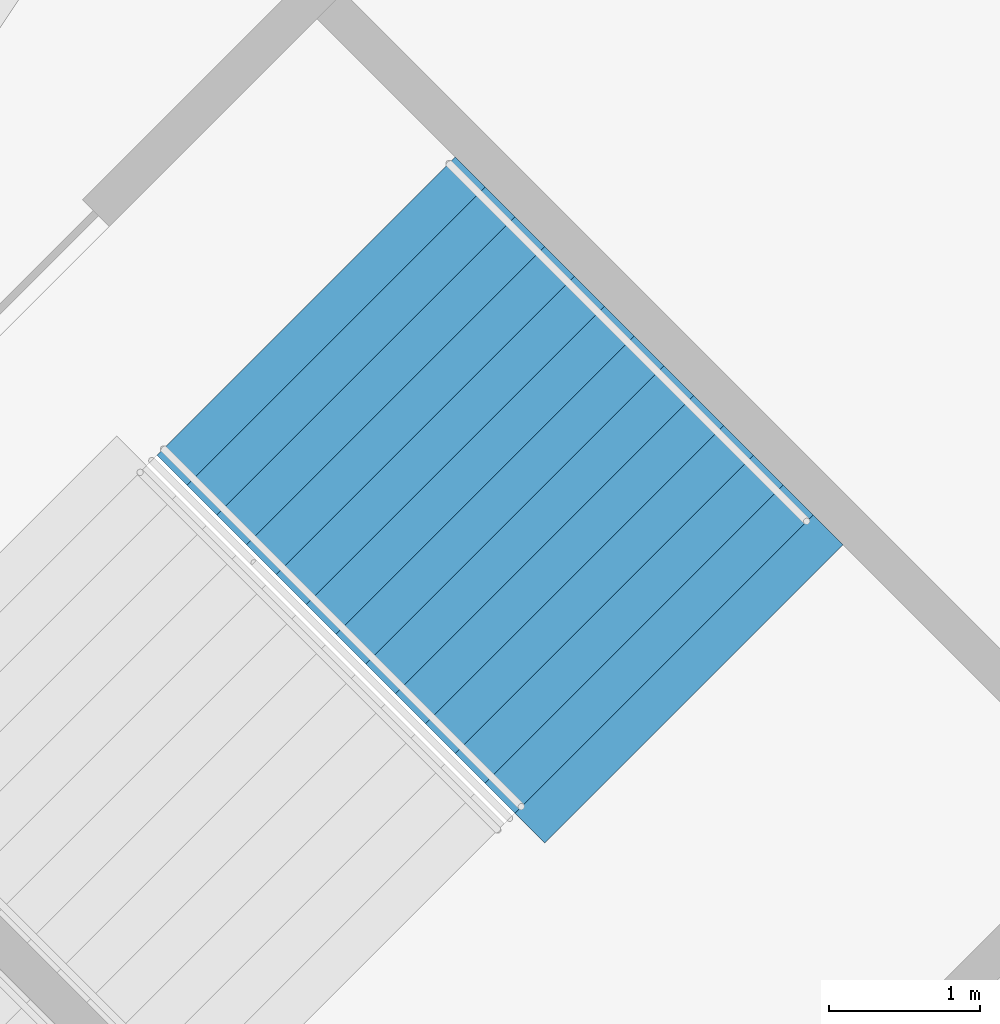
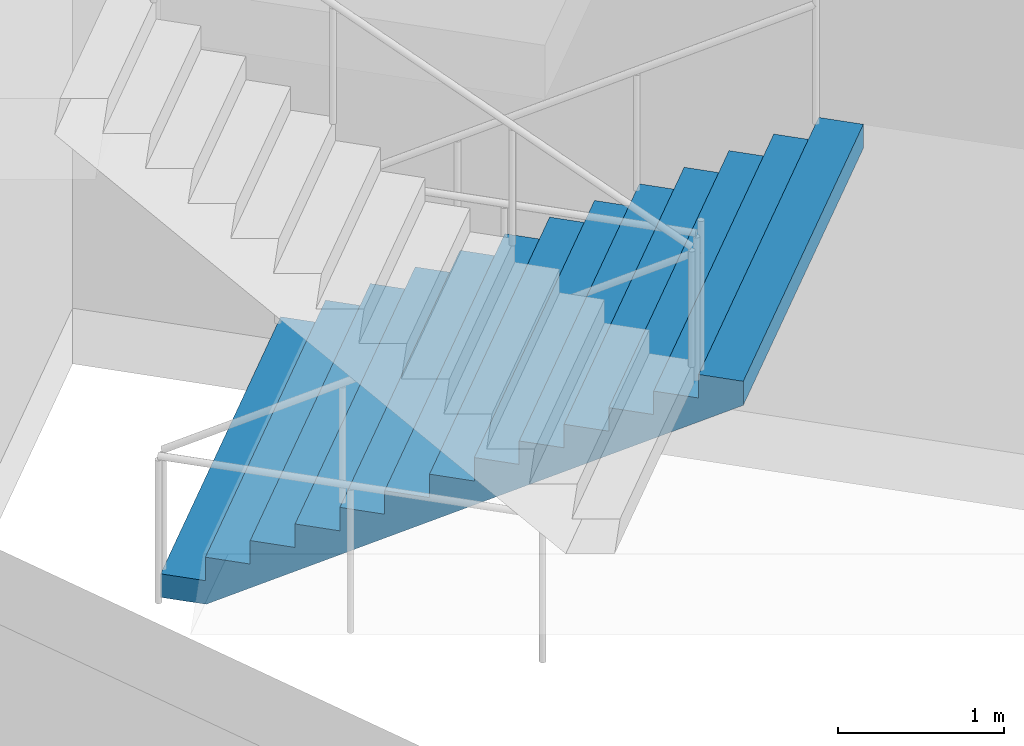
# One storey, part 137 of 199: 1 stair flight, 1 element without a shape of its own.
"""IFC4 building model written with IfcOpenShell, lengths in metres."""

from ifc_helpers import new_model, si_unit, direction, frame, origin, place, context, subcontext, project, spatial, faceted_brep, material, type_object, element, aggregate, save


model = new_model("IFC4")

# Units and contexts
model_context = context("Model", 3, precision=1e-05, world=origin(), true_north=direction((0.0, 1.0)))
body_context = subcontext(model_context, "Body", "Model", "MODEL_VIEW")
ifc_project = project(units=[si_unit("LENGTHUNIT", "METRE"), si_unit("AREAUNIT", "SQUARE_METRE"), si_unit("VOLUMEUNIT", "CUBIC_METRE"), si_unit("PLANEANGLEUNIT", "RADIAN"), si_unit("MASSUNIT", "GRAM", prefix="KILO")], contexts=[model_context])

# Site, building, storey
site_placement = place(None, origin())
site = spatial("IfcSite", under=ifc_project, at=site_placement, CompositionType="ELEMENT")
building_placement = place(site_placement, origin())
building = spatial("IfcBuilding", under=site, at=building_placement, Name="Ogive Plaza Stadium", CompositionType="ELEMENT")
storey_placement = place(building_placement, frame((0.0, 0.0, 9.0)))
storey = spatial("IfcBuildingStorey", under=building, at=storey_placement, Name="L02", CompositionType="ELEMENT", Elevation=9.0)

# Stair, stair flight
ifc_material_1 = material(Name="Concrete C40/50", Category="concrete")
stair_type = type_object("IfcStairType", Name="Exit stair", PredefinedType="STRAIGHT_RUN_STAIR", material=ifc_material_1)
stair_placement = place(storey_placement, origin())
stair = element("IfcStair", 1, at=stair_placement, inside=storey, type_object=stair_type, Name="Exit stair ST10B L02 to L03", PredefinedType="STRAIGHT_RUN_STAIR")
ifc_material_2 = material(Name="Concrete C40/50", Category="concrete")
stair_flight_type = type_object("IfcStairFlightType", Name="Exit stair flight", PredefinedType="STRAIGHT", material=ifc_material_2)
stair_flight_placement = place(storey_placement, frame((67.074951171875, -79.317138671875, 0.0), z_axis=(0.0, 0.0, 1.0), x_axis=(0.707106781187, -0.707106781187, 0.0)))
stair_flight = element("IfcStairFlight", 2, at=stair_flight_placement, type_object=stair_flight_type, Name="ST10B flight 1", NumberOfRisers=13, NumberOfTreads=12, PredefinedType="STRAIGHT", RiserHeight=0.173076923, TreadLength=0.28, context=body_context, shape_type="Brep", body=[
    faceted_brep([(0.28515625, -1.39990234375, 0.0), (3.639892578125, -1.39990234375, 2.07373046875), (3.639892578125, -1.39990234375, 2.25), (3.360107421875, -1.39990234375, 2.25), (3.360107421875, -1.39990234375, 2.076904296875), (3.080078125, -1.39990234375, 2.076904296875), (3.080078125, -1.39990234375, 1.90380859375), (2.800048828125, -1.39990234375, 1.90380859375), (2.800048828125, -1.39990234375, 1.730712890625), (2.52001953125, -1.39990234375, 1.730712890625), (2.52001953125, -1.39990234375, 1.5576171875), (2.239990234375, -1.39990234375, 1.5576171875), (2.239990234375, -1.39990234375, 1.384521484375), (1.9599609375, -1.39990234375, 1.384521484375), (1.9599609375, -1.39990234375, 1.21142578125), (1.679931640625, -1.39990234375, 1.21142578125), (1.679931640625, -1.39990234375, 1.03857421875), (1.39990234375, -1.39990234375, 1.03857421875), (1.39990234375, -1.39990234375, 0.865478515625), (1.1201171875, -1.39990234375, 0.865478515625), (1.1201171875, -1.39990234375, 0.6923828125), (0.840087890625, -1.39990234375, 0.6923828125), (0.840087890625, -1.39990234375, 0.519287109375), (0.56005859375, -1.39990234375, 0.519287109375), (0.56005859375, -1.39990234375, 0.34619140625), (0.280029296875, -1.39990234375, 0.34619140625), (0.280029296875, -1.39990234375, 0.173095703125), (0.0, -1.39990234375, 0.173095703125), (0.0, -1.39990234375, 0.0), (0.0, 1.39990234375, 0.0), (0.0, 1.39990234375, 0.173095703125), (0.280029296875, 1.39990234375, 0.173095703125), (0.280029296875, 1.39990234375, 0.34619140625), (0.56005859375, 1.39990234375, 0.34619140625), (0.56005859375, 1.39990234375, 0.519287109375), (0.840087890625, 1.39990234375, 0.519287109375), (0.840087890625, 1.39990234375, 0.6923828125), (1.1201171875, 1.39990234375, 0.6923828125), (1.1201171875, 1.39990234375, 0.865478515625), (1.39990234375, 1.39990234375, 0.865478515625), (1.39990234375, 1.39990234375, 1.03857421875), (1.679931640625, 1.39990234375, 1.03857421875), (1.679931640625, 1.39990234375, 1.21142578125), (1.9599609375, 1.39990234375, 1.21142578125), (1.9599609375, 1.39990234375, 1.384521484375), (2.239990234375, 1.39990234375, 1.384521484375), (2.239990234375, 1.39990234375, 1.5576171875), (2.52001953125, 1.39990234375, 1.5576171875), (2.52001953125, 1.39990234375, 1.730712890625), (2.800048828125, 1.39990234375, 1.730712890625), (2.800048828125, 1.39990234375, 1.90380859375), (3.080078125, 1.39990234375, 1.90380859375), (3.080078125, 1.39990234375, 2.076904296875), (3.360107421875, 1.39990234375, 2.076904296875), (3.360107421875, 1.39990234375, 2.25), (3.639892578125, 1.39990234375, 2.25), (3.639892578125, 1.39990234375, 2.07373046875), (0.28515625, 1.39990234375, 0.0), (0.28515625, -1.0888671875, 0.0), (3.639892578125, -1.0888671875, 2.07373046875), (0.28515625, -0.77783203125, 0.0), (3.639892578125, -0.77783203125, 2.07373046875), (0.28515625, -0.466796875, 0.0), (3.639892578125, -0.466796875, 2.07373046875), (0.28515625, -0.155517578125, 0.0), (3.639892578125, -0.155517578125, 2.07373046875), (0.28515625, 0.155517578125, 0.0), (3.639892578125, 0.155517578125, 2.07373046875), (0.28515625, 0.466796875, 0.0), (3.639892578125, 0.466796875, 2.07373046875), (0.28515625, 0.77783203125, 0.0), (3.639892578125, 0.77783203125, 2.07373046875), (0.28515625, 1.0888671875, 0.0), (3.639892578125, 1.0888671875, 2.07373046875), (3.639892578125, -1.0888671875, 2.25), (3.639892578125, -0.77783203125, 2.25), (3.639892578125, -0.466796875, 2.25), (3.639892578125, -0.155517578125, 2.25), (3.639892578125, 0.155517578125, 2.25), (3.639892578125, 0.466796875, 2.25), (3.639892578125, 0.77783203125, 2.25), (3.639892578125, 1.0888671875, 2.25), (3.360107421875, -1.0888671875, 2.25), (3.360107421875, -0.77783203125, 2.25), (3.360107421875, -0.466796875, 2.25), (3.360107421875, -0.155517578125, 2.25), (3.360107421875, 0.155517578125, 2.25), (3.360107421875, 0.466796875, 2.25), (3.360107421875, 0.77783203125, 2.25), (3.360107421875, 1.0888671875, 2.25), (3.360107421875, -1.0888671875, 2.076904296875), (3.360107421875, -0.77783203125, 2.076904296875), (3.360107421875, -0.466796875, 2.076904296875), (3.360107421875, -0.155517578125, 2.076904296875), (3.360107421875, 0.155517578125, 2.076904296875), (3.360107421875, 0.466796875, 2.076904296875), (3.360107421875, 0.77783203125, 2.076904296875), (3.360107421875, 1.0888671875, 2.076904296875), (3.080078125, -1.0888671875, 2.076904296875), (3.080078125, -0.77783203125, 2.076904296875), (3.080078125, -0.466796875, 2.076904296875), (3.080078125, -0.155517578125, 2.076904296875), (3.080078125, 0.155517578125, 2.076904296875), (3.080078125, 0.466796875, 2.076904296875), (3.080078125, 0.77783203125, 2.076904296875), (3.080078125, 1.0888671875, 2.076904296875), (3.080078125, -1.0888671875, 1.90380859375), (3.080078125, -0.77783203125, 1.90380859375), (3.080078125, -0.466796875, 1.90380859375), (3.080078125, -0.155517578125, 1.90380859375), (3.080078125, 0.155517578125, 1.90380859375), (3.080078125, 0.466796875, 1.90380859375), (3.080078125, 0.77783203125, 1.90380859375), (3.080078125, 1.0888671875, 1.90380859375), (2.800048828125, -1.0888671875, 1.90380859375), (2.800048828125, -0.77783203125, 1.90380859375), (2.800048828125, -0.466796875, 1.90380859375), (2.800048828125, -0.155517578125, 1.90380859375), (2.800048828125, 0.155517578125, 1.90380859375), (2.800048828125, 0.466796875, 1.90380859375), (2.800048828125, 0.77783203125, 1.90380859375), (2.800048828125, 1.0888671875, 1.90380859375), (2.800048828125, -1.0888671875, 1.730712890625), (2.800048828125, -0.77783203125, 1.730712890625), (2.800048828125, -0.466796875, 1.730712890625), (2.800048828125, -0.155517578125, 1.730712890625), (2.800048828125, 0.155517578125, 1.730712890625), (2.800048828125, 0.466796875, 1.730712890625), (2.800048828125, 0.77783203125, 1.730712890625), (2.800048828125, 1.0888671875, 1.730712890625), (2.52001953125, -1.0888671875, 1.730712890625), (2.52001953125, -0.77783203125, 1.730712890625), (2.52001953125, -0.466796875, 1.730712890625), (2.52001953125, -0.155517578125, 1.730712890625), (2.52001953125, 0.155517578125, 1.730712890625), (2.52001953125, 0.466796875, 1.730712890625), (2.52001953125, 0.77783203125, 1.730712890625), (2.52001953125, 1.0888671875, 1.730712890625), (2.52001953125, -1.0888671875, 1.5576171875), (2.52001953125, -0.77783203125, 1.5576171875), (2.52001953125, -0.466796875, 1.5576171875), (2.52001953125, -0.155517578125, 1.5576171875), (2.52001953125, 0.155517578125, 1.5576171875), (2.52001953125, 0.466796875, 1.5576171875), (2.52001953125, 0.77783203125, 1.5576171875), (2.52001953125, 1.0888671875, 1.5576171875), (2.239990234375, -1.0888671875, 1.5576171875), (2.239990234375, -0.77783203125, 1.5576171875), (2.239990234375, -0.466796875, 1.5576171875), (2.239990234375, -0.155517578125, 1.5576171875), (2.239990234375, 0.155517578125, 1.5576171875), (2.239990234375, 0.466796875, 1.5576171875), (2.239990234375, 0.77783203125, 1.5576171875), (2.239990234375, 1.0888671875, 1.5576171875), (2.239990234375, -1.0888671875, 1.384521484375), (2.239990234375, -0.77783203125, 1.384521484375), (2.239990234375, -0.466796875, 1.384521484375), (2.239990234375, -0.155517578125, 1.384521484375), (2.239990234375, 0.155517578125, 1.384521484375), (2.239990234375, 0.466796875, 1.384521484375), (2.239990234375, 0.77783203125, 1.384521484375), (2.239990234375, 1.0888671875, 1.384521484375), (1.9599609375, -1.0888671875, 1.384521484375), (1.9599609375, -0.77783203125, 1.384521484375), (1.9599609375, -0.466796875, 1.384521484375), (1.9599609375, -0.155517578125, 1.384521484375), (1.9599609375, 0.155517578125, 1.384521484375), (1.9599609375, 0.466796875, 1.384521484375), (1.9599609375, 0.77783203125, 1.384521484375), (1.9599609375, 1.0888671875, 1.384521484375), (1.9599609375, -1.0888671875, 1.21142578125), (1.9599609375, -0.77783203125, 1.21142578125), (1.9599609375, -0.466796875, 1.21142578125), (1.9599609375, -0.155517578125, 1.21142578125), (1.9599609375, 0.155517578125, 1.21142578125), (1.9599609375, 0.466796875, 1.21142578125), (1.9599609375, 0.77783203125, 1.21142578125), (1.9599609375, 1.0888671875, 1.21142578125), (1.679931640625, -1.0888671875, 1.21142578125), (1.679931640625, -0.77783203125, 1.21142578125), (1.679931640625, -0.466796875, 1.21142578125), (1.679931640625, -0.155517578125, 1.21142578125), (1.679931640625, 0.155517578125, 1.21142578125), (1.679931640625, 0.466796875, 1.21142578125), (1.679931640625, 0.77783203125, 1.21142578125), (1.679931640625, 1.0888671875, 1.21142578125), (1.679931640625, -1.0888671875, 1.03857421875), (1.679931640625, -0.77783203125, 1.03857421875), (1.679931640625, -0.466796875, 1.03857421875), (1.679931640625, -0.155517578125, 1.03857421875), (1.679931640625, 0.155517578125, 1.03857421875), (1.679931640625, 0.466796875, 1.03857421875), (1.679931640625, 0.77783203125, 1.03857421875), (1.679931640625, 1.0888671875, 1.03857421875), (1.39990234375, -1.0888671875, 1.03857421875), (1.39990234375, -0.77783203125, 1.03857421875), (1.39990234375, -0.466796875, 1.03857421875), (1.39990234375, -0.155517578125, 1.03857421875), (1.39990234375, 0.155517578125, 1.03857421875), (1.39990234375, 0.466796875, 1.03857421875), (1.39990234375, 0.77783203125, 1.03857421875), (1.39990234375, 1.0888671875, 1.03857421875), (1.39990234375, -1.0888671875, 0.865478515625), (1.39990234375, -0.77783203125, 0.865478515625), (1.39990234375, -0.466796875, 0.865478515625), (1.39990234375, -0.155517578125, 0.865478515625), (1.39990234375, 0.155517578125, 0.865478515625), (1.39990234375, 0.466796875, 0.865478515625), (1.39990234375, 0.77783203125, 0.865478515625), (1.39990234375, 1.0888671875, 0.865478515625), (1.1201171875, -1.0888671875, 0.865478515625), (1.1201171875, -0.77783203125, 0.865478515625), (1.1201171875, -0.466796875, 0.865478515625), (1.1201171875, -0.155517578125, 0.865478515625), (1.1201171875, 0.155517578125, 0.865478515625), (1.1201171875, 0.466796875, 0.865478515625), (1.1201171875, 0.77783203125, 0.865478515625), (1.1201171875, 1.0888671875, 0.865478515625), (1.1201171875, -1.0888671875, 0.6923828125), (1.1201171875, -0.77783203125, 0.6923828125), (1.1201171875, -0.466796875, 0.6923828125), (1.1201171875, -0.155517578125, 0.6923828125), (1.1201171875, 0.155517578125, 0.6923828125), (1.1201171875, 0.466796875, 0.6923828125), (1.1201171875, 0.77783203125, 0.6923828125), (1.1201171875, 1.0888671875, 0.6923828125), (0.840087890625, -1.0888671875, 0.6923828125), (0.840087890625, -0.77783203125, 0.6923828125), (0.840087890625, -0.466796875, 0.6923828125), (0.840087890625, -0.155517578125, 0.6923828125), (0.840087890625, 0.155517578125, 0.6923828125), (0.840087890625, 0.466796875, 0.6923828125), (0.840087890625, 0.77783203125, 0.6923828125), (0.840087890625, 1.0888671875, 0.6923828125), (0.840087890625, -1.0888671875, 0.519287109375), (0.840087890625, -0.77783203125, 0.519287109375), (0.840087890625, -0.466796875, 0.519287109375), (0.840087890625, -0.155517578125, 0.519287109375), (0.840087890625, 0.155517578125, 0.519287109375), (0.840087890625, 0.466796875, 0.519287109375), (0.840087890625, 0.77783203125, 0.519287109375), (0.840087890625, 1.0888671875, 0.519287109375), (0.56005859375, -1.0888671875, 0.519287109375), (0.56005859375, -0.77783203125, 0.519287109375), (0.56005859375, -0.466796875, 0.519287109375), (0.56005859375, -0.155517578125, 0.519287109375), (0.56005859375, 0.155517578125, 0.519287109375), (0.56005859375, 0.466796875, 0.519287109375), (0.56005859375, 0.77783203125, 0.519287109375), (0.56005859375, 1.0888671875, 0.519287109375), (0.56005859375, -1.0888671875, 0.34619140625), (0.56005859375, -0.77783203125, 0.34619140625), (0.56005859375, -0.466796875, 0.34619140625), (0.56005859375, -0.155517578125, 0.34619140625), (0.56005859375, 0.155517578125, 0.34619140625), (0.56005859375, 0.466796875, 0.34619140625), (0.56005859375, 0.77783203125, 0.34619140625), (0.56005859375, 1.0888671875, 0.34619140625), (0.280029296875, -1.0888671875, 0.34619140625), (0.280029296875, -0.77783203125, 0.34619140625), (0.280029296875, -0.466796875, 0.34619140625), (0.280029296875, -0.155517578125, 0.34619140625), (0.280029296875, 0.155517578125, 0.34619140625), (0.280029296875, 0.466796875, 0.34619140625), (0.280029296875, 0.77783203125, 0.34619140625), (0.280029296875, 1.0888671875, 0.34619140625), (0.280029296875, -1.0888671875, 0.173095703125), (0.280029296875, -0.77783203125, 0.173095703125), (0.280029296875, -0.466796875, 0.173095703125), (0.280029296875, -0.155517578125, 0.173095703125), (0.280029296875, 0.155517578125, 0.173095703125), (0.280029296875, 0.466796875, 0.173095703125), (0.280029296875, 0.77783203125, 0.173095703125), (0.280029296875, 1.0888671875, 0.173095703125), (0.0, -1.0888671875, 0.173095703125), (0.0, -0.77783203125, 0.173095703125), (0.0, -0.466796875, 0.173095703125), (0.0, -0.155517578125, 0.173095703125), (0.0, 0.155517578125, 0.173095703125), (0.0, 0.466796875, 0.173095703125), (0.0, 0.77783203125, 0.173095703125), (0.0, 1.0888671875, 0.173095703125), (0.0, -1.0888671875, 0.0), (0.0, -0.77783203125, 0.0), (0.0, -0.466796875, 0.0), (0.0, -0.155517578125, 0.0), (0.0, 0.155517578125, 0.0), (0.0, 0.466796875, 0.0), (0.0, 0.77783203125, 0.0), (0.0, 1.0888671875, 0.0)], [[[0, 1, 2, 3, 4, 5, 6, 7, 8, 9, 10, 11, 12, 13, 14, 15, 16, 17, 18, 19, 20, 21, 22, 23, 24, 25, 26, 27, 28]], [[29, 30, 31, 32, 33, 34, 35, 36, 37, 38, 39, 40, 41, 42, 43, 44, 45, 46, 47, 48, 49, 50, 51, 52, 53, 54, 55, 56, 57]], [[0, 58, 59, 1]], [[58, 60, 61, 59]], [[60, 62, 63, 61]], [[62, 64, 65, 63]], [[64, 66, 67, 65]], [[66, 68, 69, 67]], [[68, 70, 71, 69]], [[70, 72, 73, 71]], [[72, 57, 56, 73]], [[1, 59, 74, 2]], [[59, 61, 75, 74]], [[61, 63, 76, 75]], [[63, 65, 77, 76]], [[65, 67, 78, 77]], [[67, 69, 79, 78]], [[69, 71, 80, 79]], [[71, 73, 81, 80]], [[73, 56, 55, 81]], [[2, 74, 82, 3]], [[74, 75, 83, 82]], [[75, 76, 84, 83]], [[76, 77, 85, 84]], [[77, 78, 86, 85]], [[78, 79, 87, 86]], [[79, 80, 88, 87]], [[80, 81, 89, 88]], [[81, 55, 54, 89]], [[3, 82, 90, 4]], [[82, 83, 91, 90]], [[83, 84, 92, 91]], [[84, 85, 93, 92]], [[85, 86, 94, 93]], [[86, 87, 95, 94]], [[87, 88, 96, 95]], [[88, 89, 97, 96]], [[89, 54, 53, 97]], [[4, 90, 98, 5]], [[90, 91, 99, 98]], [[91, 92, 100, 99]], [[92, 93, 101, 100]], [[93, 94, 102, 101]], [[94, 95, 103, 102]], [[95, 96, 104, 103]], [[96, 97, 105, 104]], [[97, 53, 52, 105]], [[5, 98, 106, 6]], [[98, 99, 107, 106]], [[99, 100, 108, 107]], [[100, 101, 109, 108]], [[101, 102, 110, 109]], [[102, 103, 111, 110]], [[103, 104, 112, 111]], [[104, 105, 113, 112]], [[105, 52, 51, 113]], [[6, 106, 114, 7]], [[106, 107, 115, 114]], [[107, 108, 116, 115]], [[108, 109, 117, 116]], [[109, 110, 118, 117]], [[110, 111, 119, 118]], [[111, 112, 120, 119]], [[112, 113, 121, 120]], [[113, 51, 50, 121]], [[7, 114, 122, 8]], [[114, 115, 123, 122]], [[115, 116, 124, 123]], [[116, 117, 125, 124]], [[117, 118, 126, 125]], [[118, 119, 127, 126]], [[119, 120, 128, 127]], [[120, 121, 129, 128]], [[121, 50, 49, 129]], [[8, 122, 130, 9]], [[122, 123, 131, 130]], [[123, 124, 132, 131]], [[124, 125, 133, 132]], [[125, 126, 134, 133]], [[126, 127, 135, 134]], [[127, 128, 136, 135]], [[128, 129, 137, 136]], [[129, 49, 48, 137]], [[9, 130, 138, 10]], [[130, 131, 139, 138]], [[131, 132, 140, 139]], [[132, 133, 141, 140]], [[133, 134, 142, 141]], [[134, 135, 143, 142]], [[135, 136, 144, 143]], [[136, 137, 145, 144]], [[137, 48, 47, 145]], [[10, 138, 146, 11]], [[138, 139, 147, 146]], [[139, 140, 148, 147]], [[140, 141, 149, 148]], [[141, 142, 150, 149]], [[142, 143, 151, 150]], [[143, 144, 152, 151]], [[144, 145, 153, 152]], [[145, 47, 46, 153]], [[11, 146, 154, 12]], [[146, 147, 155, 154]], [[147, 148, 156, 155]], [[148, 149, 157, 156]], [[149, 150, 158, 157]], [[150, 151, 159, 158]], [[151, 152, 160, 159]], [[152, 153, 161, 160]], [[153, 46, 45, 161]], [[12, 154, 162, 13]], [[154, 155, 163, 162]], [[155, 156, 164, 163]], [[156, 157, 165, 164]], [[157, 158, 166, 165]], [[158, 159, 167, 166]], [[159, 160, 168, 167]], [[160, 161, 169, 168]], [[161, 45, 44, 169]], [[13, 162, 170, 14]], [[162, 163, 171, 170]], [[163, 164, 172, 171]], [[164, 165, 173, 172]], [[165, 166, 174, 173]], [[166, 167, 175, 174]], [[167, 168, 176, 175]], [[168, 169, 177, 176]], [[169, 44, 43, 177]], [[14, 170, 178, 15]], [[170, 171, 179, 178]], [[171, 172, 180, 179]], [[172, 173, 181, 180]], [[173, 174, 182, 181]], [[174, 175, 183, 182]], [[175, 176, 184, 183]], [[176, 177, 185, 184]], [[177, 43, 42, 185]], [[15, 178, 186, 16]], [[178, 179, 187, 186]], [[179, 180, 188, 187]], [[180, 181, 189, 188]], [[181, 182, 190, 189]], [[182, 183, 191, 190]], [[183, 184, 192, 191]], [[184, 185, 193, 192]], [[185, 42, 41, 193]], [[16, 186, 194, 17]], [[186, 187, 195, 194]], [[187, 188, 196, 195]], [[188, 189, 197, 196]], [[189, 190, 198, 197]], [[190, 191, 199, 198]], [[191, 192, 200, 199]], [[192, 193, 201, 200]], [[193, 41, 40, 201]], [[17, 194, 202, 18]], [[194, 195, 203, 202]], [[195, 196, 204, 203]], [[196, 197, 205, 204]], [[197, 198, 206, 205]], [[198, 199, 207, 206]], [[199, 200, 208, 207]], [[200, 201, 209, 208]], [[201, 40, 39, 209]], [[18, 202, 210, 19]], [[202, 203, 211, 210]], [[203, 204, 212, 211]], [[204, 205, 213, 212]], [[205, 206, 214, 213]], [[206, 207, 215, 214]], [[207, 208, 216, 215]], [[208, 209, 217, 216]], [[209, 39, 38, 217]], [[19, 210, 218, 20]], [[210, 211, 219, 218]], [[211, 212, 220, 219]], [[212, 213, 221, 220]], [[213, 214, 222, 221]], [[214, 215, 223, 222]], [[215, 216, 224, 223]], [[216, 217, 225, 224]], [[217, 38, 37, 225]], [[20, 218, 226, 21]], [[218, 219, 227, 226]], [[219, 220, 228, 227]], [[220, 221, 229, 228]], [[221, 222, 230, 229]], [[222, 223, 231, 230]], [[223, 224, 232, 231]], [[224, 225, 233, 232]], [[225, 37, 36, 233]], [[21, 226, 234, 22]], [[226, 227, 235, 234]], [[227, 228, 236, 235]], [[228, 229, 237, 236]], [[229, 230, 238, 237]], [[230, 231, 239, 238]], [[231, 232, 240, 239]], [[232, 233, 241, 240]], [[233, 36, 35, 241]], [[22, 234, 242, 23]], [[234, 235, 243, 242]], [[235, 236, 244, 243]], [[236, 237, 245, 244]], [[237, 238, 246, 245]], [[238, 239, 247, 246]], [[239, 240, 248, 247]], [[240, 241, 249, 248]], [[241, 35, 34, 249]], [[23, 242, 250, 24]], [[242, 243, 251, 250]], [[243, 244, 252, 251]], [[244, 245, 253, 252]], [[245, 246, 254, 253]], [[246, 247, 255, 254]], [[247, 248, 256, 255]], [[248, 249, 257, 256]], [[249, 34, 33, 257]], [[24, 250, 258, 25]], [[250, 251, 259, 258]], [[251, 252, 260, 259]], [[252, 253, 261, 260]], [[253, 254, 262, 261]], [[254, 255, 263, 262]], [[255, 256, 264, 263]], [[256, 257, 265, 264]], [[257, 33, 32, 265]], [[25, 258, 266, 26]], [[258, 259, 267, 266]], [[259, 260, 268, 267]], [[260, 261, 269, 268]], [[261, 262, 270, 269]], [[262, 263, 271, 270]], [[263, 264, 272, 271]], [[264, 265, 273, 272]], [[265, 32, 31, 273]], [[26, 266, 274, 27]], [[266, 267, 275, 274]], [[267, 268, 276, 275]], [[268, 269, 277, 276]], [[269, 270, 278, 277]], [[270, 271, 279, 278]], [[271, 272, 280, 279]], [[272, 273, 281, 280]], [[273, 31, 30, 281]], [[27, 274, 282, 28]], [[274, 275, 283, 282]], [[275, 276, 284, 283]], [[276, 277, 285, 284]], [[277, 278, 286, 285]], [[278, 279, 287, 286]], [[279, 280, 288, 287]], [[280, 281, 289, 288]], [[281, 30, 29, 289]], [[28, 282, 58, 0]], [[282, 283, 60, 58]], [[283, 284, 62, 60]], [[284, 285, 64, 62]], [[285, 286, 66, 64]], [[286, 287, 68, 66]], [[287, 288, 70, 68]], [[288, 289, 72, 70]], [[289, 29, 57, 72]]]),
])
aggregate(stair, [stair_flight])

save(model, "model.ifc")
